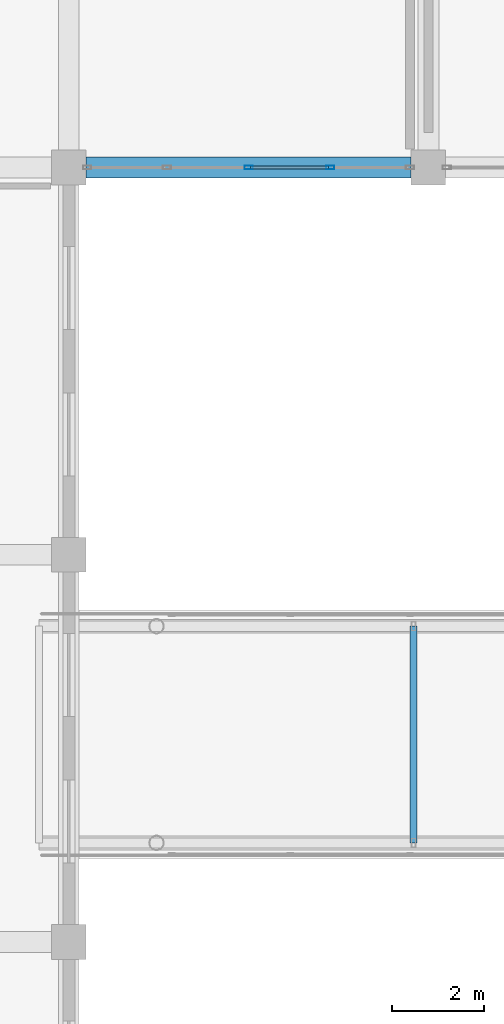
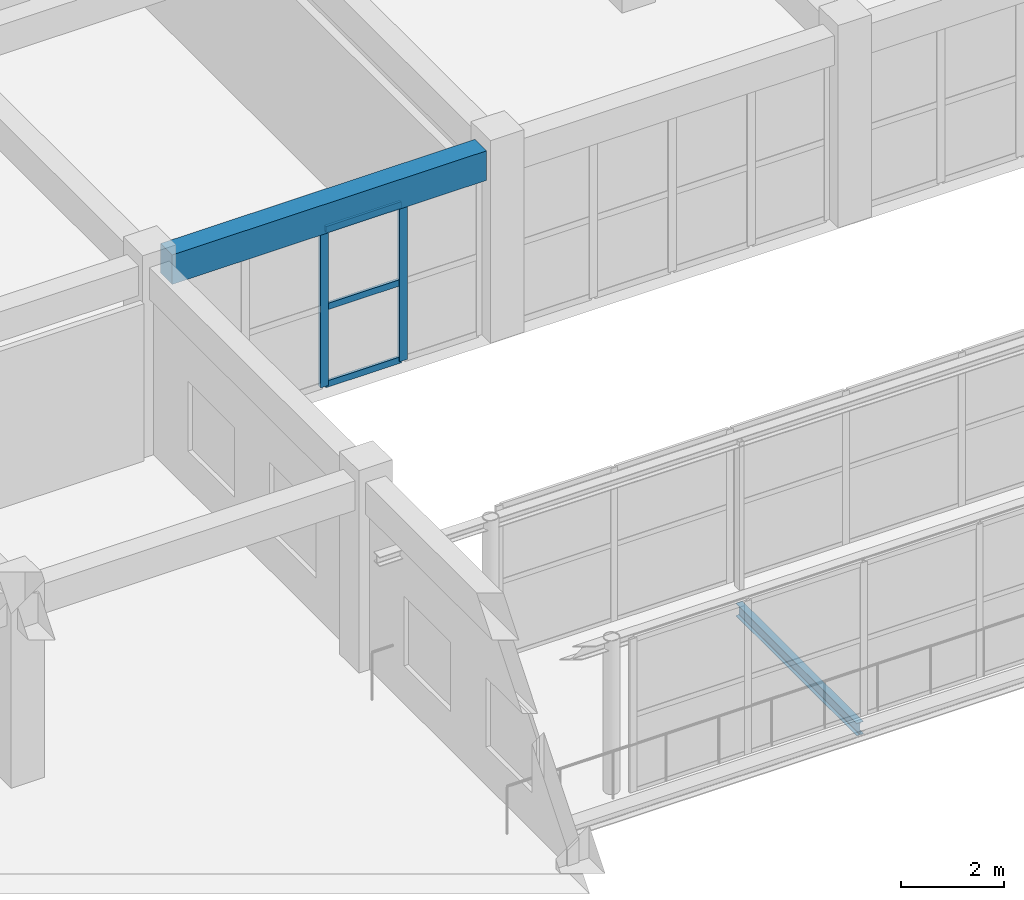
# One storey, part 64 of 167: 5 members, 2 beams, 1 element without a shape of its own.
"""IFC4 building model written with IfcOpenShell, lengths in metres."""

from ifc_helpers import new_model, si_unit, direction, frame, origin, origin_2d, place, context, subcontext, project, spatial, rectangle, hollow_rectangle, i_section, extrude, material, layer, layer_set, material_profile, profile_set, type_object, element, aggregate, save


model = new_model("IFC4")

# Units and contexts
model_context = context("Model", 3, precision=1e-05, world=origin(), true_north=direction((0.0, 1.0)))
body_context = subcontext(model_context, "Body", "Model", "MODEL_VIEW")
ifc_project = project(units=[si_unit("LENGTHUNIT", "METRE"), si_unit("AREAUNIT", "SQUARE_METRE"), si_unit("VOLUMEUNIT", "CUBIC_METRE"), si_unit("PLANEANGLEUNIT", "RADIAN"), si_unit("MASSUNIT", "GRAM", prefix="KILO")], contexts=[model_context])

# Site, building, storey
site_placement = place(None, origin())
site = spatial("IfcSite", under=ifc_project, at=site_placement, CompositionType="ELEMENT")
building_placement = place(site_placement, origin())
building = spatial("IfcBuilding", under=site, at=building_placement, Name="Zizhar Promenade General Hospital", CompositionType="ELEMENT")
storey_placement = place(building_placement, frame((0.0, 0.0, 9.60009765625)))
storey = spatial("IfcBuildingStorey", under=building, at=storey_placement, Name="L02", CompositionType="ELEMENT", Elevation=9.60009765625)

# Beams
ifc_material_1 = material(Name="Concrete C35/45", Category="concrete")
ifc_material_profile_1 = material_profile(ifc_material_1, rectangle(XDim=0.449951171875, YDim=0.699951171875, at=origin_2d()))
ifc_profile_set_1 = profile_set([ifc_material_profile_1], Name="Concrete C35/45")
beam_type_1 = type_object("IfcBeamType", Name="BM-RC-450x700", PredefinedType="BEAM", material=ifc_profile_set_1)
beam_1_placement = place(storey_placement, frame((70.574951171875, 92.39990234375, 4.119873046875), z_axis=(1.0, 0.0, 0.0), x_axis=(0.0, 1.0, 0.0)))
element("IfcBeam", 1, at=beam_1_placement, inside=storey, type_object=beam_type_1, Name="Grid Beam X L02 (9-11)", PredefinedType="BEAM", context=body_context, shape_type="SweptSolid", body=[
    extrude(rectangle(XDim=0.449951171875, YDim=0.699951171875, at=origin_2d()), origin(), (0.0, 0.0, 1.0), 7.050048828125),
])
ifc_material_2 = material(Name="Steel S355", Category="steel")
ifc_material_profile_2 = material_profile(ifc_material_2, i_section(OverallWidth=0.14990234375, OverallDepth=0.300048828125, WebThickness=0.007080078125, FlangeThickness=0.0107421875, FilletRadius=0.014892578125, at=origin_2d()))
ifc_profile_set_2 = profile_set([ifc_material_profile_2], Name="Steel S355")
beam_type_2 = type_object("IfcBeamType", Name="BM-STL-IPE300", PredefinedType="JOIST", material=ifc_profile_set_2)
beam_2_placement = place(storey_placement, frame((77.675048828125, 77.75, -0.5), z_axis=(0.0, 1.0, 0.0), x_axis=(-1.0, 0.0, 0.0)))
element("IfcBeam", 2, at=beam_2_placement, inside=storey, type_object=beam_type_2, Name="SB-2 Transverse Deck Beam 77.7", PredefinedType="JOIST", context=body_context, shape_type="SweptSolid", body=[
    extrude(i_section(OverallWidth=0.14990234375, OverallDepth=0.300048828125, WebThickness=0.007080078125, FlangeThickness=0.0107421875, FilletRadius=0.014892578125, at=origin_2d()), origin(), (0.0, 0.0, 1.0), 4.699951171875),
])

# Curtain wall, members
ifc_material_3 = material(Name="Anodised aluminium 6063-T6 and low-E glass", Category="aluminium")
ifc_layer = layer(ifc_material_3, 0.159912109375)
ifc_layer_set = layer_set([ifc_layer], Name="Anodised aluminium 6063-T6 and low-E glass")
curtain_wall_type = type_object("IfcCurtainWallType", Name="CW-DT-MOD1", PredefinedType="NOTDEFINED", material=ifc_layer_set)
curtain_wall_placement = place(storey_placement, origin())
curtain_wall = element("IfcCurtainWall", 3, at=curtain_wall_placement, inside=storey, type_object=curtain_wall_type, Name="Garden Court North Surgical Glazing L02-9", PredefinedType="NOTDEFINED")
ifc_material_4 = material(Name="Anodised aluminium 6063-T6", Category="aluminium")
ifc_material_profile_3 = material_profile(ifc_material_4, hollow_rectangle(XDim=0.080078125, YDim=0.179931640625, WallThickness=0.0048828125, at=origin_2d()))
ifc_profile_set_3 = profile_set([ifc_material_profile_3], Name="Anodised aluminium 6063-T6")
member_type_1 = type_object("IfcMemberType", Name="CWM-ALU-180x80", PredefinedType="MULLION", material=ifc_profile_set_3)
member_1_placement = place(storey_placement, frame((75.8701171875, 92.39990234375, 0.0), z_axis=(0.0, 0.0, 1.0), x_axis=(0.0, -1.0, 0.0)))
member_1 = element("IfcMember", 4, at=member_1_placement, type_object=member_type_1, Name="CW-07 mullion 2", PredefinedType="MULLION", context=body_context, shape_type="SweptSolid", body=[
    extrude(hollow_rectangle(XDim=0.080078125, YDim=0.179931640625, WallThickness=0.0048828125, at=origin_2d()), origin(), (0.0, 0.0, 1.0), 3.72998046875),
])
member_2_placement = place(storey_placement, frame((74.10009765625, 92.39990234375, 0.0), z_axis=(0.0, 0.0, 1.0), x_axis=(0.0, -1.0, 0.0)))
member_2 = element("IfcMember", 5, at=member_2_placement, type_object=member_type_1, Name="CW-07 mullion 3", PredefinedType="MULLION", context=body_context, shape_type="SweptSolid", body=[
    extrude(hollow_rectangle(XDim=0.080078125, YDim=0.179931640625, WallThickness=0.0048828125, at=origin_2d()), origin(), (0.0, 0.0, 1.0), 3.72998046875),
])
ifc_material_5 = material(Name="Anodised aluminium 6063-T6", Category="aluminium")
ifc_material_profile_4 = material_profile(ifc_material_5, hollow_rectangle(XDim=0.06005859375, YDim=0.14990234375, WallThickness=0.00390625, at=origin_2d()))
ifc_profile_set_4 = profile_set([ifc_material_profile_4], Name="Anodised aluminium 6063-T6")
member_type_2 = type_object("IfcMemberType", Name="CWT-ALU-150x60", PredefinedType="USERDEFINED", material=ifc_profile_set_4)
member_3_placement = place(storey_placement, frame((75.830078125, 92.39990234375, 0.02978515625), z_axis=(-1.0, 0.0, 0.0), x_axis=(0.0, -1.0, 0.0)))
member_3 = element("IfcMember", 6, at=member_3_placement, type_object=member_type_2, Name="CW-07 transom 2.1", ObjectType="TRANSOM", PredefinedType="USERDEFINED", context=body_context, shape_type="SweptSolid", body=[
    extrude(hollow_rectangle(XDim=0.06005859375, YDim=0.14990234375, WallThickness=0.00390625, at=origin_2d()), origin(), (0.0, 0.0, 1.0), 1.690185546875),
])
member_4_placement = place(storey_placement, frame((75.830078125, 92.39990234375, 1.864990234375), z_axis=(-1.0, 0.0, 0.0), x_axis=(0.0, -1.0, 0.0)))
member_4 = element("IfcMember", 7, at=member_4_placement, type_object=member_type_2, Name="CW-07 transom 2.2", ObjectType="TRANSOM", PredefinedType="USERDEFINED", context=body_context, shape_type="SweptSolid", body=[
    extrude(hollow_rectangle(XDim=0.06005859375, YDim=0.14990234375, WallThickness=0.00390625, at=origin_2d()), origin(), (0.0, 0.0, 1.0), 1.690185546875),
])
member_5_placement = place(storey_placement, frame((75.830078125, 92.39990234375, 3.699951171875), z_axis=(-1.0, 0.0, 0.0), x_axis=(0.0, -1.0, 0.0)))
member_5 = element("IfcMember", 8, at=member_5_placement, type_object=member_type_2, Name="CW-07 transom 2.3", ObjectType="TRANSOM", PredefinedType="USERDEFINED", context=body_context, shape_type="SweptSolid", body=[
    extrude(hollow_rectangle(XDim=0.06005859375, YDim=0.14990234375, WallThickness=0.00390625, at=origin_2d()), origin(), (0.0, 0.0, 1.0), 1.690185546875),
])
aggregate(curtain_wall, [member_1, member_2, member_3, member_4, member_5])

save(model, "model.ifc")
